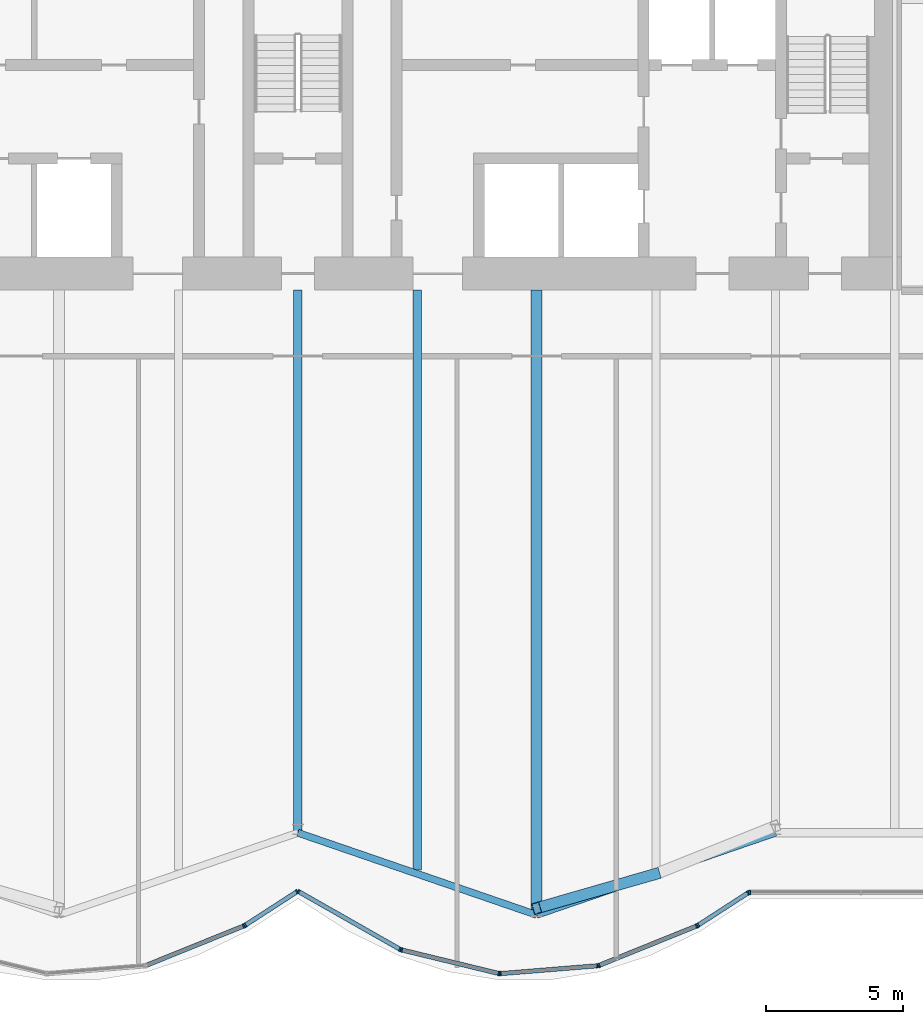
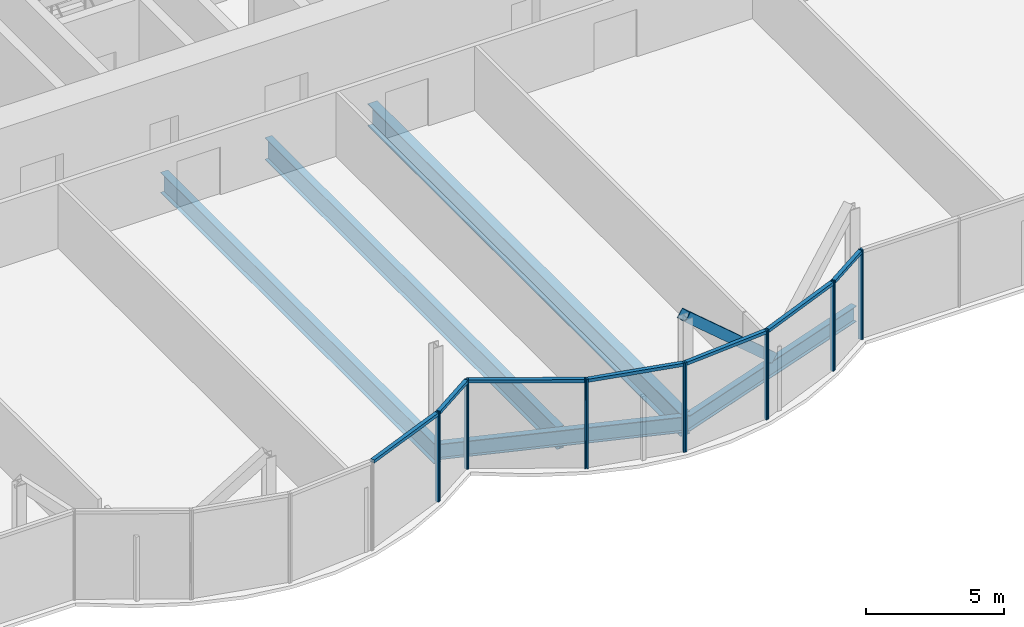
# One storey, part 8 of 21: 22 members, 5 beams, 3 elements without a shape of their own.
"""IFC4 building model written with IfcOpenShell, lengths in metres."""

import ifcopenshell
import ifcopenshell.guid

model = None  # the IFC model being written
_history = None  # IfcOwnerHistory: only IFC2X3 demands one
_inside = {}  # id of a spatial element -> (the spatial element, [elements in it])
_under = {}  # id of a project, library or spatial element -> (it, [spatial elements below it])
_declared = {}  # id of a project -> (the project, [libraries it declares])
_typed = {}  # id of a type object -> (the type object, [elements of that type])
_made_of = {}  # id of a material, layer set ... -> (it, [elements and type objects made of it])


def new_model(schema):
    """Start an empty IFC model of exactly this schema.

    Asked for "IFC4X3", IfcOpenShell would pick the latest addendum, in which some entities
    have other attributes; the version numbers below select the first issue.
    IFC2X3 requires an IfcOwnerHistory on every rooted entity: one is made here for all.
    """
    global model, _history
    if schema == "IFC4X3":
        model = ifcopenshell.file(schema_version=(4, 3, 0, 0))
    else:
        model = ifcopenshell.file(schema=schema)
    _inside.clear()
    _under.clear()
    _declared.clear()
    _typed.clear()
    _made_of.clear()
    _history = None
    if model.schema == "IFC2X3":
        org = make("IfcOrganization", Name="unknown")
        user = make(
            "IfcPersonAndOrganization",
            ThePerson=make("IfcPerson", FamilyName="unknown"),
            TheOrganization=org,
        )
        app = make(
            "IfcApplication",
            ApplicationDeveloper=org,
            Version="unknown",
            ApplicationFullName="unknown",
            ApplicationIdentifier="unknown",
        )
        _history = make(
            "IfcOwnerHistory",
            OwningUser=user,
            OwningApplication=app,
            ChangeAction="ADDED",
            CreationDate=0,
        )
    return model


def make(cls, **values):
    """One entity of the class cls with the attributes given. An attribute that is None is left unset."""
    return model.create_entity(
        cls, **{name: value for name, value in values.items() if value is not None}
    )


def rooted(cls, **values):
    """An entity with a GlobalId (a new one), such as an element, a storey or a relation."""
    return make(cls, GlobalId=ifcopenshell.guid.new(), OwnerHistory=_history, **values)


def si_unit(unit_type, name, prefix=None):
    """IfcSIUnit, for example si_unit("LENGTHUNIT", "METRE", prefix="MILLI")."""
    return make("IfcSIUnit", UnitType=unit_type, Prefix=prefix, Name=name)


def assignment(units):
    """IfcUnitAssignment: the units of a project."""
    return None if units is None else make("IfcUnitAssignment", Units=units)


def point(xyz):
    """IfcCartesianPoint."""
    return None if xyz is None else make("IfcCartesianPoint", Coordinates=xyz)


def direction(xyz):
    """IfcDirection."""
    return None if xyz is None else make("IfcDirection", DirectionRatios=xyz)


def frame(location, z_axis=None, x_axis=None):
    """IfcAxis2Placement3D, a coordinate frame: its origin and axes. An axis left out is left unset."""
    return make(
        "IfcAxis2Placement3D",
        Location=point(location),
        Axis=direction(z_axis),
        RefDirection=direction(x_axis),
    )


def frame_2d(location, x_axis=None):
    """IfcAxis2Placement2D, a coordinate frame in the plane: its origin and x axis."""
    return make(
        "IfcAxis2Placement2D", Location=point(location), RefDirection=direction(x_axis)
    )


def origin():
    """The frame at (0, 0, 0) with its axes left unset."""
    return frame((0.0, 0.0, 0.0))


def origin_2d():
    """The frame at (0, 0) in the plane with its x axis left unset."""
    return frame_2d((0.0, 0.0))


def place(relative_to, where):
    """IfcLocalPlacement: puts the frame where relative to a parent placement (None: the world)."""
    return make(
        "IfcLocalPlacement", PlacementRelTo=relative_to, RelativePlacement=where
    )


def context(
    kind, dimensions, precision=None, world=None, true_north=None, identifier=None
):
    """IfcGeometricRepresentationContext, for example the 3D "Model" context."""
    return make(
        "IfcGeometricRepresentationContext",
        ContextIdentifier=identifier,
        ContextType=kind,
        CoordinateSpaceDimension=dimensions,
        Precision=precision,
        WorldCoordinateSystem=world,
        TrueNorth=true_north,
    )


def subcontext(parent, identifier, kind, view, scale=None):
    """IfcGeometricRepresentationSubContext, for example "Body" below "Model"."""
    return make(
        "IfcGeometricRepresentationSubContext",
        ContextIdentifier=identifier,
        ContextType=kind,
        ParentContext=parent,
        TargetScale=scale,
        TargetView=view,
    )


def project(units=None, contexts=None):
    """IfcProject with its units and contexts."""
    return rooted(
        "IfcProject",
        Name="project",
        RepresentationContexts=contexts,
        UnitsInContext=assignment(units),
    )


def spatial(cls, under=None, at=None, **own):
    """A site, building, storey or space (cls), placed at a placement, below another one or the project."""
    s = rooted(cls, ObjectPlacement=at, **own)
    if under is not None:
        _under.setdefault(under.id(), (under, []))[1].append(s)
    return s


def profile(cls, at=None, kind="AREA", **sizes):
    """A parametric profile (cls). Its sizes go by their IFC names, for example OverallWidth=200.0."""
    return make(cls, ProfileType=kind, Position=at, **sizes)


def rectangle(**sizes):
    """IfcRectangleProfileDef."""
    return profile("IfcRectangleProfileDef", **sizes)


def hollow_rectangle(**sizes):
    """IfcRectangleHollowProfileDef."""
    return profile("IfcRectangleHollowProfileDef", **sizes)


def i_section(**sizes):
    """IfcIShapeProfileDef."""
    return profile("IfcIShapeProfileDef", **sizes)


def extrude(swept, where, along, depth):
    """IfcExtrudedAreaSolid: the profile swept, set in the frame where, extruded along a direction by depth."""
    return make(
        "IfcExtrudedAreaSolid",
        SweptArea=swept,
        Position=where,
        ExtrudedDirection=direction(along),
        Depth=depth,
    )


def shape(context_of_items, identifier, shape_type, items):
    """IfcShapeRepresentation: the items that make up one representation, for example the "Body"."""
    return make(
        "IfcShapeRepresentation",
        ContextOfItems=context_of_items,
        RepresentationIdentifier=identifier,
        RepresentationType=shape_type,
        Items=items,
    )


def material(Name=None, Category=None):
    """IfcMaterial."""
    return make("IfcMaterial", Name=Name, Category=Category)


def material_profile(
    of_material, cross_section, Name=None, Category=None, Priority=None
):
    """IfcMaterialProfile: a cross section and its material."""
    return make(
        "IfcMaterialProfile",
        Name=Name,
        Material=of_material,
        Profile=cross_section,
        Priority=Priority,
        Category=Category,
    )


def profile_set(profiles, Name=None, composite=None):
    """IfcMaterialProfileSet."""
    return make(
        "IfcMaterialProfileSet",
        Name=Name,
        MaterialProfiles=profiles,
        CompositeProfile=composite,
    )


def made_of(thing, what):
    """Note that an element or type object is made of a material, layer set ...; save() writes the relation."""
    if what is not None:
        _made_of.setdefault(what.id(), (what, []))[1].append(thing)
    return thing


def type_object(cls, material=None, **own):
    """A type object (cls), such as IfcWallType, which elements share."""
    return made_of(rooted(cls, **own), material)


def element(
    cls,
    number,
    at=None,
    inside=None,
    cuts=None,
    type_object=None,
    material=None,
    context=None,
    identifier="Body",
    shape_type=None,
    held_by="IfcProductDefinitionShape",
    body=None,
    shapes=None,
    **own,
):
    """One element of the class cls, such as IfcWall. Its Tag is "e" and its number.

    at: its placement. inside: the storey or other place that contains it. cuts: it is an
    opening in that element (IfcRelVoidsElement). A single representation is given by context,
    identifier, shape_type and body (its items); several are given by shapes. held_by: the class
    of the entity that holds the representations. save() writes the other relations.
    """
    e = rooted(cls, Tag="e%d" % number, ObjectPlacement=at, **own)
    if body is not None:
        shapes = [shape(context, identifier, shape_type, body)]
    if shapes is not None:
        e.Representation = make(held_by, Representations=shapes)
    if inside is not None:
        _inside.setdefault(inside.id(), (inside, []))[1].append(e)
    if cuts is not None:
        rooted(
            "IfcRelVoidsElement", RelatingBuildingElement=cuts, RelatedOpeningElement=e
        )
    if type_object is not None:
        _typed.setdefault(type_object.id(), (type_object, []))[1].append(e)
    return made_of(e, material)


def aggregate(whole, parts):
    """IfcRelAggregates: a whole, such as a stair, and the parts it consists of."""
    return rooted("IfcRelAggregates", RelatingObject=whole, RelatedObjects=parts)


def save(model, path):
    """Write the relations noted so far, then the file.

    IfcRelAggregates (storeys below a building ...), IfcRelContainedInSpatialStructure (elements
    in a storey), IfcRelDefinesByType, IfcRelAssociatesMaterial and IfcRelDeclares: one each for
    every whole, place, type object, material and project.
    """
    for whole, parts in _under.values():
        aggregate(whole, parts)
    for where, things in _inside.values():
        rooted(
            "IfcRelContainedInSpatialStructure",
            RelatedElements=things,
            RelatingStructure=where,
        )
    for kind, things in _typed.values():
        rooted("IfcRelDefinesByType", RelatedObjects=things, RelatingType=kind)
    for what, things in _made_of.values():
        rooted("IfcRelAssociatesMaterial", RelatedObjects=things, RelatingMaterial=what)
    for by, libraries in _declared.values():
        rooted("IfcRelDeclares", RelatingContext=by, RelatedDefinitions=libraries)
    model.write(path)


model = new_model("IFC4")

# Units and contexts
model_context = context("Model", 3, precision=1e-05, world=origin(), true_north=direction((0.0, 1.0)))
body_context = subcontext(model_context, "Body", "Model", "MODEL_VIEW")
ifc_project = project(units=[si_unit("LENGTHUNIT", "METRE"), si_unit("AREAUNIT", "SQUARE_METRE"), si_unit("VOLUMEUNIT", "CUBIC_METRE"), si_unit("PLANEANGLEUNIT", "RADIAN"), si_unit("MASSUNIT", "GRAM", prefix="KILO")], contexts=[model_context])

# Site, building, storey
site_placement = place(None, origin())
site = spatial("IfcSite", under=ifc_project, at=site_placement, CompositionType="ELEMENT")
building_placement = place(site_placement, origin())
building = spatial("IfcBuilding", under=site, at=building_placement, Name="Bicima Exchange Tower", CompositionType="ELEMENT")
storey_placement = place(building_placement, frame((0.0, 0.0, 156.800048828125)))
storey = spatial("IfcBuildingStorey", under=building, at=storey_placement, Name="L34", CompositionType="ELEMENT", Elevation=156.800048828125)

# Beams
ifc_material_1 = material(Name="Steel ASTM A992 Gr 50", Category="steel")
ifc_material_profile_1 = material_profile(ifc_material_1, i_section(OverallWidth=0.3046875, OverallDepth=0.904296875, WebThickness=0.01513671875, FlangeThickness=0.02001953125, at=origin_2d()))
ifc_profile_set_1 = profile_set([ifc_material_profile_1], Name="Steel ASTM A992 Gr 50")
beam_type_1 = type_object("IfcBeamType", Name="Floor beam W36x135", PredefinedType="JOIST", material=ifc_profile_set_1)
beam_1_placement = place(storey_placement, frame((0.0, -13.0, -0.60205078125), z_axis=(0.0, -1.0, 0.0), x_axis=(1.0, 0.0, 0.0)))
element("IfcBeam", 1, at=beam_1_placement, inside=storey, type_object=beam_type_1, Name="Floor beam", PredefinedType="JOIST", context=body_context, shape_type="SweptSolid", body=[
    extrude(i_section(OverallWidth=0.3046875, OverallDepth=0.904296875, WebThickness=0.01513671875, FlangeThickness=0.02001953125, at=origin_2d()), origin(), (0.0, 0.0, 1.0), 19.76806640625),
])
ifc_material_profile_2 = material_profile(ifc_material_1, i_section(OverallWidth=0.2998046875, OverallDepth=0.97021484375, WebThickness=0.01611328125, FlangeThickness=0.02099609375, at=origin_2d()))
ifc_profile_set_2 = profile_set([ifc_material_profile_2], Name="Steel ASTM A992 Gr 50")
beam_type_2 = type_object("IfcBeamType", Name="Floor beam W40x149", PredefinedType="JOIST", material=ifc_profile_set_2)
beam_2_placement = place(storey_placement, frame((4.35009765625, -13.0, -0.63525390625), z_axis=(0.0, -1.0, 0.0), x_axis=(1.0, 0.0, 0.0)))
element("IfcBeam", 2, at=beam_2_placement, inside=storey, type_object=beam_type_2, Name="Floor beam", PredefinedType="JOIST", context=body_context, shape_type="SweptSolid", body=[
    extrude(i_section(OverallWidth=0.2998046875, OverallDepth=0.97021484375, WebThickness=0.01611328125, FlangeThickness=0.02099609375, at=origin_2d()), origin(), (0.0, 0.0, 1.0), 21.1279296875),
])
ifc_material_profile_3 = material_profile(ifc_material_1, i_section(OverallWidth=0.4013671875, OverallDepth=0.990478515625, WebThickness=0.0166015625, FlangeThickness=0.031005859375, at=origin_2d()))
ifc_profile_set_3 = profile_set([ifc_material_profile_3], Name="Steel ASTM A992 Gr 50")
beam_type_3 = type_object("IfcBeamType", Name="Floor beam W40x215", PredefinedType="JOIST", material=ifc_profile_set_3)
beam_3_placement = place(storey_placement, frame((8.699951171875, -13.0, -0.645263671875), z_axis=(0.0, -1.0, 0.0), x_axis=(1.0, 0.0, 0.0)))
element("IfcBeam", 3, at=beam_3_placement, inside=storey, type_object=beam_type_3, Name="Floor beam", PredefinedType="JOIST", context=body_context, shape_type="SweptSolid", body=[
    extrude(i_section(OverallWidth=0.4013671875, OverallDepth=0.990478515625, WebThickness=0.0166015625, FlangeThickness=0.031005859375, at=origin_2d()), origin(), (0.0, 0.0, 1.0), 22.623291015625),
])
ifc_material_profile_4 = material_profile(ifc_material_1, i_section(OverallWidth=0.256591796875, OverallDepth=0.693359375, WebThickness=0.014404296875, FlangeThickness=0.023681640625, at=origin_2d()))
ifc_profile_set_4 = profile_set([ifc_material_profile_4], Name="Steel ASTM A992 Gr 50")
beam_type_4 = type_object("IfcBeamType", Name="Front girder W27x114", PredefinedType="BEAM", material=ifc_profile_set_4)
for number, where, z_axis, x_axis, name in (
    (4, (0.0, -32.76806640625, -0.496826171875), (0.945674616091, -0.32511462668, 0.0), (0.32511462668, 0.945674616091, 0.0), "Front girder"),
    (5, (8.699951171875, -35.759033203125, -0.496826171875), (0.945674616091, 0.32511462668, 0.0), (-0.32511462668, 0.945674616091, 0.0), "Front girder"),
):
    element("IfcBeam", number, at=place(storey_placement, frame(where, z_axis=z_axis, x_axis=x_axis)), inside=storey, type_object=beam_type_4, Name=name, PredefinedType="BEAM", context=body_context, shape_type="SweptSolid", body=[
        extrude(i_section(OverallWidth=0.256591796875, OverallDepth=0.693359375, WebThickness=0.014404296875, FlangeThickness=0.023681640625, at=origin_2d()), origin(), (0.0, 0.0, 1.0), 9.19970703125),
    ])

# Curtain wall, members
ifc_material_2 = material(Name="Anodised bronze aluminium", Category="aluminium")
curtain_wall_type = type_object("IfcCurtainWallType", Name="Front glass wall", PredefinedType="NOTDEFINED", material=ifc_material_2)
curtain_wall_1_placement = place(storey_placement, origin())
curtain_wall_1 = element("IfcCurtainWall", 6, at=curtain_wall_1_placement, inside=storey, type_object=curtain_wall_type, Name="Front glass wall L34 run 6", PredefinedType="NOTDEFINED")
ifc_material_profile_5 = material_profile(ifc_material_2, rectangle(XDim=0.159912109375, YDim=0.06005859375, at=origin_2d()))
ifc_profile_set_5 = profile_set([ifc_material_profile_5], Name="Anodised bronze aluminium")
member_type_1 = type_object("IfcMemberType", Name="Front glass wall mullion 60 x 160", PredefinedType="MULLION", material=ifc_profile_set_5)
member_1_placement = place(storey_placement, frame((-1.97412109375, -36.16357421875, 0.0), z_axis=(0.0, 0.0, 1.0), x_axis=(-0.374705304, 0.92714396679, 0.0)))
member_1 = element("IfcMember", 7, at=member_1_placement, type_object=member_type_1, Name="Front glass wall mullion 2", PredefinedType="MULLION", context=body_context, shape_type="SweptSolid", body=[
    extrude(rectangle(XDim=0.159912109375, YDim=0.06005859375, at=origin_2d()), origin(), (0.0, 0.0, 1.0), 3.949951171875),
])
member_2_placement = place(storey_placement, frame((-1.921142578125, -36.135986328125, 0.0), z_axis=(0.0, 0.0, 1.0), x_axis=(-0.542897457326, 0.839798994301, 0.0)))
member_2 = element("IfcMember", 8, at=member_2_placement, type_object=member_type_1, Name="Front glass wall mullion 1", PredefinedType="MULLION", context=body_context, shape_type="SweptSolid", body=[
    extrude(rectangle(XDim=0.159912109375, YDim=0.06005859375, at=origin_2d()), origin(), (0.0, 0.0, 1.0), 3.949951171875),
])
member_3_placement = place(storey_placement, frame((-0.025146484375, -34.910400390625, 0.0), z_axis=(0.0, 0.0, 1.0), x_axis=(-0.542897457326, 0.839798994301, 0.0)))
member_3 = element("IfcMember", 9, at=member_3_placement, type_object=member_type_1, Name="Front glass wall mullion 2", PredefinedType="MULLION", context=body_context, shape_type="SweptSolid", body=[
    extrude(rectangle(XDim=0.159912109375, YDim=0.06005859375, at=origin_2d()), origin(), (0.0, 0.0, 1.0), 3.949951171875),
])

curtain_wall_2_placement = place(storey_placement, origin())
curtain_wall_2 = element("IfcCurtainWall", 10, at=curtain_wall_2_placement, inside=storey, type_object=curtain_wall_type, Name="Front glass wall L34 run 11", PredefinedType="NOTDEFINED")
member_4_placement = place(storey_placement, frame((0.026123046875, -34.908935546875, 0.0), z_axis=(0.0, 0.0, 1.0), x_axis=(0.494330311331, 0.869274147378, 0.0)))
member_4 = element("IfcMember", 11, at=member_4_placement, type_object=member_type_1, Name="Front glass wall mullion 1", PredefinedType="MULLION", context=body_context, shape_type="SweptSolid", body=[
    extrude(rectangle(XDim=0.159912109375, YDim=0.06005859375, at=origin_2d()), origin(), (0.0, 0.0, 1.0), 3.949951171875),
])
member_5_placement = place(storey_placement, frame((3.7265625, -37.013427734375, 0.0), z_axis=(0.0, 0.0, 1.0), x_axis=(0.494330311331, 0.869274147378, 0.0)))
member_5 = element("IfcMember", 12, at=member_5_placement, type_object=member_type_1, Name="Front glass wall mullion 2", PredefinedType="MULLION", context=body_context, shape_type="SweptSolid", body=[
    extrude(rectangle(XDim=0.159912109375, YDim=0.06005859375, at=origin_2d()), origin(), (0.0, 0.0, 1.0), 3.949951171875),
])
member_6_placement = place(storey_placement, frame((3.781982421875, -37.035400390625, 0.0), z_axis=(0.0, 0.0, 1.0), x_axis=(0.235681529503, 0.971830343553, 0.0)))
member_6 = element("IfcMember", 13, at=member_6_placement, type_object=member_type_1, Name="Front glass wall mullion 1", PredefinedType="MULLION", context=body_context, shape_type="SweptSolid", body=[
    extrude(rectangle(XDim=0.159912109375, YDim=0.06005859375, at=origin_2d()), origin(), (0.0, 0.0, 1.0), 3.949951171875),
])
member_7_placement = place(storey_placement, frame((7.322509765625, -37.893798828125, 0.0), z_axis=(0.0, 0.0, 1.0), x_axis=(0.235681529503, 0.971830343553, 0.0)))
member_7 = element("IfcMember", 14, at=member_7_placement, type_object=member_type_1, Name="Front glass wall mullion 2", PredefinedType="MULLION", context=body_context, shape_type="SweptSolid", body=[
    extrude(rectangle(XDim=0.159912109375, YDim=0.06005859375, at=origin_2d()), origin(), (0.0, 0.0, 1.0), 3.949951171875),
])
member_8_placement = place(storey_placement, frame((7.381591796875, -37.898681640625, 0.0), z_axis=(0.0, 0.0, 1.0), x_axis=(-0.080588612633, 0.99674744821, 0.0)))
member_8 = element("IfcMember", 15, at=member_8_placement, type_object=member_type_1, Name="Front glass wall mullion 1", PredefinedType="MULLION", context=body_context, shape_type="SweptSolid", body=[
    extrude(rectangle(XDim=0.159912109375, YDim=0.06005859375, at=origin_2d()), origin(), (0.0, 0.0, 1.0), 3.949951171875),
])
member_9_placement = place(storey_placement, frame((10.916015625, -37.61279296875, 0.0), z_axis=(0.0, 0.0, 1.0), x_axis=(-0.080588612633, 0.99674744821, 0.0)))
member_9 = element("IfcMember", 16, at=member_9_placement, type_object=member_type_1, Name="Front glass wall mullion 2", PredefinedType="MULLION", context=body_context, shape_type="SweptSolid", body=[
    extrude(rectangle(XDim=0.159912109375, YDim=0.06005859375, at=origin_2d()), origin(), (0.0, 0.0, 1.0), 3.949951171875),
])
member_10_placement = place(storey_placement, frame((10.973876953125, -37.59912109375, 0.0), z_axis=(0.0, 0.0, 1.0), x_axis=(-0.374705304, 0.92714396679, 0.0)))
member_10 = element("IfcMember", 17, at=member_10_placement, type_object=member_type_1, Name="Front glass wall mullion 1", PredefinedType="MULLION", context=body_context, shape_type="SweptSolid", body=[
    extrude(rectangle(XDim=0.159912109375, YDim=0.06005859375, at=origin_2d()), origin(), (0.0, 0.0, 1.0), 3.949951171875),
])
member_11_placement = place(storey_placement, frame((14.52587890625, -36.16357421875, 0.0), z_axis=(0.0, 0.0, 1.0), x_axis=(-0.374705304, 0.92714396679, 0.0)))
member_11 = element("IfcMember", 18, at=member_11_placement, type_object=member_type_1, Name="Front glass wall mullion 2", PredefinedType="MULLION", context=body_context, shape_type="SweptSolid", body=[
    extrude(rectangle(XDim=0.159912109375, YDim=0.06005859375, at=origin_2d()), origin(), (0.0, 0.0, 1.0), 3.949951171875),
])
member_12_placement = place(storey_placement, frame((14.578857421875, -36.135986328125, 0.0), z_axis=(0.0, 0.0, 1.0), x_axis=(-0.542909183079, 0.839791413941, 0.0)))
member_12 = element("IfcMember", 19, at=member_12_placement, type_object=member_type_1, Name="Front glass wall mullion 1", PredefinedType="MULLION", context=body_context, shape_type="SweptSolid", body=[
    extrude(rectangle(XDim=0.159912109375, YDim=0.06005859375, at=origin_2d()), origin(), (0.0, 0.0, 1.0), 3.949951171875),
])
member_13_placement = place(storey_placement, frame((16.406982421875, -34.954345703125, 0.0), z_axis=(0.0, 0.0, 1.0), x_axis=(-0.542909183079, 0.839791413941, 0.0)))
member_13 = element("IfcMember", 20, at=member_13_placement, type_object=member_type_1, Name="Front glass wall mullion 2", PredefinedType="MULLION", context=body_context, shape_type="SweptSolid", body=[
    extrude(rectangle(XDim=0.159912109375, YDim=0.06005859375, at=origin_2d()), origin(), (0.0, 0.0, 1.0), 3.949951171875),
])

# Curtain wall, member
curtain_wall_3_placement = place(storey_placement, origin())
curtain_wall_3 = element("IfcCurtainWall", 21, at=curtain_wall_3_placement, inside=storey, type_object=curtain_wall_type, Name="Front glass wall L34 run 16", PredefinedType="NOTDEFINED")
member_14_placement = place(storey_placement, frame((16.462158203125, -34.93798828125, 0.0), z_axis=(0.0, 0.0, 1.0), x_axis=(0.0, 1.0, 0.0)))
member_14 = element("IfcMember", 22, at=member_14_placement, type_object=member_type_1, Name="Front glass wall mullion 1", PredefinedType="MULLION", context=body_context, shape_type="SweptSolid", body=[
    extrude(rectangle(XDim=0.159912109375, YDim=0.06005859375, at=origin_2d()), origin(), (0.0, 0.0, 1.0), 3.949951171875),
])
aggregate(curtain_wall_3, [member_14])

# Member
ifc_material_profile_6 = material_profile(ifc_material_2, rectangle(XDim=0.159912109375, YDim=0.139892578125, at=origin_2d()))
ifc_profile_set_6 = profile_set([ifc_material_profile_6], Name="Anodised bronze aluminium")
member_type_2 = type_object("IfcMemberType", Name="Front glass wall transom 140 x 160", PredefinedType="USERDEFINED", material=ifc_profile_set_6)
member_15_placement = place(storey_placement, frame((-5.498291015625, -37.587890625, 3.8798828125), z_axis=(0.927140215882, 0.374714584842, 0.0), x_axis=(-0.374714584842, 0.927140215882, 0.0)))
member_15 = element("IfcMember", 23, at=member_15_placement, type_object=member_type_2, Name="Front glass wall transom 1.1", ObjectType="TRANSOM", PredefinedType="USERDEFINED", context=body_context, shape_type="SweptSolid", body=[
    extrude(rectangle(XDim=0.159912109375, YDim=0.139892578125, at=origin_2d()), origin(), (0.0, 0.0, 1.0), 3.77099609375),
])

member_16_placement = place(storey_placement, frame((-1.89599609375, -36.119873046875, 3.8798828125), z_axis=(0.839811483481, 0.542878137536, 0.0), x_axis=(-0.542878137536, 0.839811483481, 0.0)))
member_16 = element("IfcMember", 24, at=member_16_placement, type_object=member_type_2, Name="Front glass wall transom 1.1", ObjectType="TRANSOM", PredefinedType="USERDEFINED", context=body_context, shape_type="SweptSolid", body=[
    extrude(rectangle(XDim=0.159912109375, YDim=0.139892578125, at=origin_2d()), origin(), (0.0, 0.0, 1.0), 2.19775390625),
])

aggregate(curtain_wall_1, [member_1, member_15, member_2, member_3, member_16])

member_17_placement = place(storey_placement, frame((0.05224609375, -34.923828125, 3.8798828125), z_axis=(0.869265121745, -0.494346182466, 0.0), x_axis=(0.494346182466, 0.869265121745, 0.0)))
member_17 = element("IfcMember", 25, at=member_17_placement, type_object=member_type_2, Name="Front glass wall transom 1.1", ObjectType="TRANSOM", PredefinedType="USERDEFINED", context=body_context, shape_type="SweptSolid", body=[
    extrude(rectangle(XDim=0.159912109375, YDim=0.139892578125, at=origin_2d()), origin(), (0.0, 0.0, 1.0), 4.19677734375),
])

member_18_placement = place(storey_placement, frame((3.81103515625, -37.042236328125, 3.8798828125), z_axis=(0.971817951661, -0.235732621477, 0.0), x_axis=(0.235732621477, 0.971817951661, 0.0)))
member_18 = element("IfcMember", 26, at=member_18_placement, type_object=member_type_2, Name="Front glass wall transom 1.1", ObjectType="TRANSOM", PredefinedType="USERDEFINED", context=body_context, shape_type="SweptSolid", body=[
    extrude(rectangle(XDim=0.159912109375, YDim=0.139892578125, at=origin_2d()), origin(), (0.0, 0.0, 1.0), 3.58349609375),
])

member_19_placement = place(storey_placement, frame((7.41162109375, -37.896240234375, 3.8798828125), z_axis=(0.9967456465, 0.080610893699, 0.0), x_axis=(-0.080610893699, 0.9967456465, 0.0)))
member_19 = element("IfcMember", 27, at=member_19_placement, type_object=member_type_2, Name="Front glass wall transom 1.1", ObjectType="TRANSOM", PredefinedType="USERDEFINED", context=body_context, shape_type="SweptSolid", body=[
    extrude(rectangle(XDim=0.159912109375, YDim=0.139892578125, at=origin_2d()), origin(), (0.0, 0.0, 1.0), 3.48583984375),
])

member_20_placement = place(storey_placement, frame((11.001708984375, -37.587890625, 3.8798828125), z_axis=(0.927140215882, 0.374714584842, 0.0), x_axis=(-0.374714584842, 0.927140215882, 0.0)))
member_20 = element("IfcMember", 28, at=member_20_placement, type_object=member_type_2, Name="Front glass wall transom 1.1", ObjectType="TRANSOM", PredefinedType="USERDEFINED", context=body_context, shape_type="SweptSolid", body=[
    extrude(rectangle(XDim=0.159912109375, YDim=0.139892578125, at=origin_2d()), origin(), (0.0, 0.0, 1.0), 3.77099609375),
])

member_21_placement = place(storey_placement, frame((14.60400390625, -36.119873046875, 3.8798828125), z_axis=(0.839792890287, 0.542906899407, 0.0), x_axis=(-0.542906899407, 0.839792890287, 0.0)))
member_21 = element("IfcMember", 29, at=member_21_placement, type_object=member_type_2, Name="Front glass wall transom 1.1", ObjectType="TRANSOM", PredefinedType="USERDEFINED", context=body_context, shape_type="SweptSolid", body=[
    extrude(rectangle(XDim=0.159912109375, YDim=0.139892578125, at=origin_2d()), origin(), (0.0, 0.0, 1.0), 2.11669921875),
])

aggregate(curtain_wall_2, [member_4, member_5, member_17, member_6, member_7, member_18, member_8, member_9, member_19, member_10, member_11, member_20, member_12, member_13, member_21])

ifc_material_3 = material(Name="Steel ASTM A572 Gr 50", Category="steel")
ifc_material_profile_7 = material_profile(ifc_material_3, hollow_rectangle(XDim=0.406494140625, YDim=0.406494140625, WallThickness=0.017822265625, at=origin_2d()))
ifc_profile_set_7 = profile_set([ifc_material_profile_7], Name="Steel ASTM A572 Gr 50")
member_type_3 = type_object("IfcMemberType", Name="Mega brace HSS16x16x3/4", PredefinedType="BRACE", material=ifc_profile_set_7)
member_22_placement = place(storey_placement, frame((13.050048828125, -34.263427734375, 0.0), z_axis=(-0.712280173437, -0.204953443103, 0.671305474943), x_axis=(0.276522876258, -0.961007335511, 0.0)))
element("IfcMember", 30, at=member_22_placement, inside=storey, type_object=member_type_3, Name="Mega brace front", PredefinedType="BRACE", context=body_context, shape_type="SweptSolid", body=[
    extrude(hollow_rectangle(XDim=0.406494140625, YDim=0.406494140625, WallThickness=0.017822265625, at=origin_2d()), origin(), (0.0, 0.0, 1.0), 6.107177734375),
])

save(model, "model.ifc")
